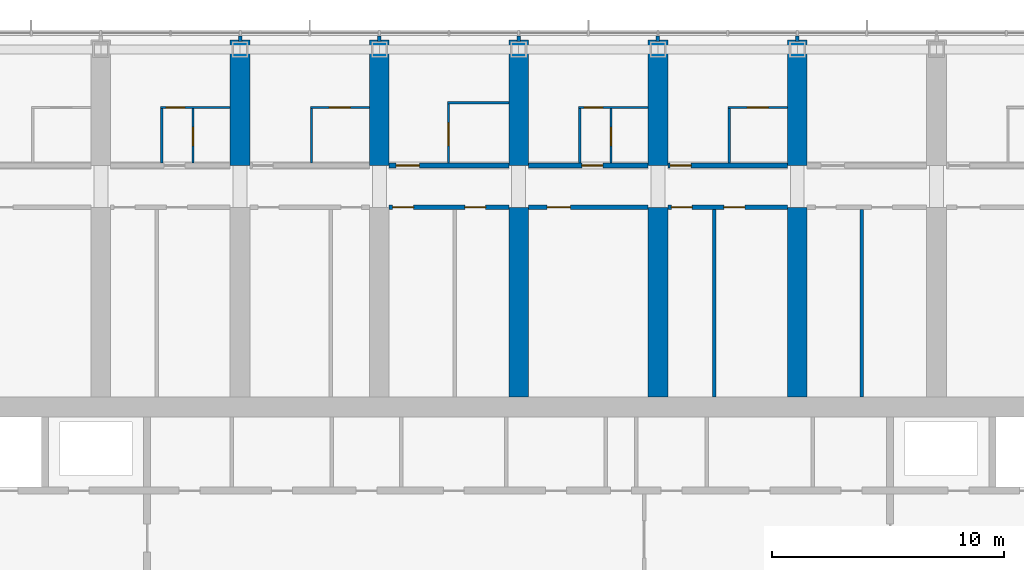
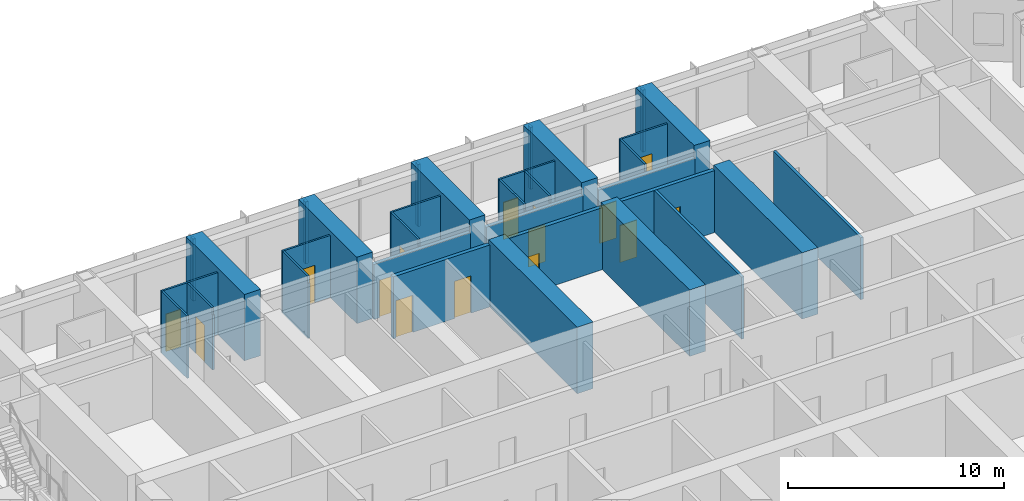
# One storey, part 20 of 29: 33 walls, 15 doors, 15 openings.
"""IFC4 building model written with IfcOpenShell, lengths in metres."""

from ifc_helpers import new_model, si_unit, direction, frame, frame_2d, origin, place, context, subcontext, project, spatial, polyline, rectangle, outline, extrude, material, layer, layer_set, type_object, element, fill, save


model = new_model("IFC4")

# Units and contexts
model_context = context("Model", 3, precision=1e-05, world=origin(), true_north=direction((0.0, 1.0)))
body_context = subcontext(model_context, "Body", "Model", "MODEL_VIEW")
ifc_project = project(units=[si_unit("LENGTHUNIT", "METRE"), si_unit("AREAUNIT", "SQUARE_METRE"), si_unit("VOLUMEUNIT", "CUBIC_METRE"), si_unit("PLANEANGLEUNIT", "RADIAN"), si_unit("MASSUNIT", "GRAM", prefix="KILO")], contexts=[model_context])

# Site, building, storey
site_placement = place(None, origin())
site = spatial("IfcSite", under=ifc_project, at=site_placement, CompositionType="ELEMENT")
building_placement = place(site_placement, origin())
building = spatial("IfcBuilding", under=site, at=building_placement, Name="Orbita Commons", CompositionType="ELEMENT")
storey_placement = place(building_placement, frame((0.0, 0.0, 148.60009765625)))
storey = spatial("IfcBuildingStorey", under=building, at=storey_placement, Name="L36", CompositionType="ELEMENT", Elevation=148.60009765625)

# Wall, opening, door
ifc_material_1 = material(Name="Concrete blockwork", Category="masonry")
ifc_layer_1 = layer(ifc_material_1, 0.199951171875)
ifc_layer_set_1 = layer_set([ifc_layer_1], Name="Concrete blockwork")
wall_type_1 = type_object("IfcWallType", Name="Corridor wall 200 blockwork", PredefinedType="SOLIDWALL", material=ifc_layer_set_1)
wall_1_placement = place(storey_placement, frame((36.425048828125, 48.60009765625, 0.0), z_axis=(0.0, 0.0, 1.0), x_axis=(1.0, 0.0, 0.0)))
wall_1 = element("IfcWall", 1, at=wall_1_placement, inside=storey, type_object=wall_type_1, Name="Corridor wall 200 blockwork L36", PredefinedType="SOLIDWALL", context=body_context, shape_type="SweptSolid", body=[
    extrude(outline(polyline([(0.0, 0.0), (5.14990234375, 0.0), (5.14990234375, 3.099853515625), (0.0, 3.099853515625), (0.0, 0.0)])), frame((0.0, 0.10009765625, 0.0), z_axis=(0.0, -1.0, 0.0), x_axis=(1.0, 0.0, 0.0)), (0.0, 0.0, 1.0), 0.199951171875),
])
opening_1_placement = place(wall_1_placement, frame((0.300048828125, 0.0, 0.0)))
opening_1 = element("IfcOpeningElement", 2, at=opening_1_placement, cuts=wall_1, Name="Opening D06", PredefinedType="OPENING", context=body_context, shape_type="SweptSolid", body=[
    extrude(rectangle(XDim=1.0, YDim=2.10009765625, at=frame_2d((0.5, 1.050048828125))), frame((0.0, 0.10986328125, 0.0), z_axis=(0.0, -1.0, 0.0), x_axis=(1.0, 0.0, 0.0)), (0.0, 0.0, 1.0), 0.219970703125),
])
ifc_material_2 = material(Name="Steel-faced fire door leaf", Category="steel")
door_type_1 = type_object("IfcDoorType", Name="Corridor door 20 min 1000x2100", OperationType="SINGLE_SWING_LEFT", PredefinedType="DOOR", material=ifc_material_2)
door_1_placement = place(opening_1_placement, origin())
door_1 = element("IfcDoor", 3, at=door_1_placement, inside=storey, type_object=door_type_1, Name="Accessible bedroom L36-N06 door", OperationType="SINGLE_SWING_LEFT", OverallHeight=2.10009765625, OverallWidth=1.0, PredefinedType="DOOR", context=body_context, shape_type="SweptSolid", body=[
    extrude(rectangle(XDim=1.0, YDim=2.10009765625, at=frame_2d((0.5, 1.050048828125))), frame((0.0, 0.02490234375, 0.0), z_axis=(0.0, -1.0, 0.0), x_axis=(1.0, 0.0, 0.0)), (0.0, 0.0, 1.0), 0.050048828125),
])
fill(opening_1, door_1)

wall_2_placement = place(storey_placement, frame((42.425048828125, 48.60009765625, 0.0), z_axis=(0.0, 0.0, 1.0), x_axis=(1.0, 0.0, 0.0)))
wall_2 = element("IfcWall", 4, at=wall_2_placement, inside=storey, type_object=wall_type_1, Name="Corridor wall 200 blockwork L36", PredefinedType="SOLIDWALL", context=body_context, shape_type="SweptSolid", body=[
    extrude(outline(polyline([(0.0, 0.0), (5.14990234375, 0.0), (5.14990234375, 3.099853515625), (0.0, 3.099853515625), (0.0, 0.0)])), frame((0.0, 0.10009765625, 0.0), z_axis=(0.0, -1.0, 0.0), x_axis=(1.0, 0.0, 0.0)), (0.0, 0.0, 1.0), 0.199951171875),
])
opening_2_placement = place(wall_2_placement, frame((2.300048828125, 0.0, 0.0)))
opening_2 = element("IfcOpeningElement", 5, at=opening_2_placement, cuts=wall_2, Name="Opening D11", PredefinedType="OPENING", context=body_context, shape_type="SweptSolid", body=[
    extrude(rectangle(XDim=0.89990234375, YDim=2.10009765625, at=frame_2d((0.449951171875, 1.050048828125))), frame((0.0, 0.10986328125, 0.0), z_axis=(0.0, -1.0, 0.0), x_axis=(1.0, 0.0, 0.0)), (0.0, 0.0, 1.0), 0.219970703125),
])
ifc_material_3 = material(Name="Steel-faced fire door leaf", Category="steel")
door_type_2 = type_object("IfcDoorType", Name="Corridor door 20 min 900x2100", OperationType="SINGLE_SWING_LEFT", PredefinedType="DOOR", material=ifc_material_3)
door_2_placement = place(opening_2_placement, origin())
door_2 = element("IfcDoor", 6, at=door_2_placement, inside=storey, type_object=door_type_2, Name="Studio flat L36-N08 entrance door", OperationType="SINGLE_SWING_LEFT", OverallHeight=2.10009765625, OverallWidth=0.89990234375, PredefinedType="DOOR", context=body_context, shape_type="SweptSolid", body=[
    extrude(rectangle(XDim=0.89990234375, YDim=2.10009765625, at=frame_2d((0.449951171875, 1.050048828125))), frame((0.0, 0.02490234375, 0.0), z_axis=(0.0, -1.0, 0.0), x_axis=(1.0, 0.0, 0.0)), (0.0, 0.0, 1.0), 0.050048828125),
])
fill(opening_2, door_2)

wall_3_placement = place(storey_placement, frame((48.425048828125, 48.60009765625, 0.0), z_axis=(0.0, 0.0, 1.0), x_axis=(1.0, 0.0, 0.0)))
wall_3 = element("IfcWall", 7, at=wall_3_placement, inside=storey, type_object=wall_type_1, Name="Corridor wall 200 blockwork L36", PredefinedType="SOLIDWALL", context=body_context, shape_type="SweptSolid", body=[
    extrude(outline(polyline([(0.0, 0.0), (5.14990234375, 0.0), (5.14990234375, 3.099853515625), (0.0, 3.099853515625), (0.0, 0.0)])), frame((0.0, 0.10009765625, 0.0), z_axis=(0.0, -1.0, 0.0), x_axis=(1.0, 0.0, 0.0)), (0.0, 0.0, 1.0), 0.199951171875),
])
opening_3_placement = place(wall_3_placement, frame((0.10009765625, 0.0, 0.0)))
opening_3 = element("IfcOpeningElement", 8, at=opening_3_placement, cuts=wall_3, Name="Opening D11", PredefinedType="OPENING", context=body_context, shape_type="SweptSolid", body=[
    extrude(rectangle(XDim=0.89990234375, YDim=2.10009765625, at=frame_2d((0.449951171875, 1.050048828125))), frame((0.0, 0.10986328125, 0.0), z_axis=(0.0, -1.0, 0.0), x_axis=(1.0, 0.0, 0.0)), (0.0, 0.0, 1.0), 0.219970703125),
])
door_3_placement = place(opening_3_placement, origin())
door_3 = element("IfcDoor", 9, at=door_3_placement, inside=storey, type_object=door_type_2, Name="Twin room L36-N10 door", OperationType="SINGLE_SWING_LEFT", OverallHeight=2.10009765625, OverallWidth=0.89990234375, PredefinedType="DOOR", context=body_context, shape_type="SweptSolid", body=[
    extrude(rectangle(XDim=0.89990234375, YDim=2.10009765625, at=frame_2d((0.449951171875, 1.050048828125))), frame((0.0, 0.02490234375, 0.0), z_axis=(0.0, -1.0, 0.0), x_axis=(1.0, 0.0, 0.0)), (0.0, 0.0, 1.0), 0.050048828125),
])
fill(opening_3, door_3)

# Wall, openings, doors
ifc_material_4 = material(Name="Hollow concrete block 200", Category="concrete")
ifc_layer_2 = layer(ifc_material_4, 0.199951171875)
ifc_layer_set_2 = layer_set([ifc_layer_2], Name="Hollow concrete block 200")
wall_type_2 = type_object("IfcWallType", Name="Corridor wall 200 hollow concrete block", PredefinedType="SOLIDWALL", material=ifc_layer_set_2)
wall_4_placement = place(storey_placement, frame((36.425048828125, 46.800048828125, 0.0), z_axis=(0.0, 0.0, 1.0), x_axis=(1.0, 0.0, 0.0)))
wall_4 = element("IfcWall", 10, at=wall_4_placement, inside=storey, type_object=wall_type_2, Name="Corridor wall 200 hollow concrete block L36", PredefinedType="SOLIDWALL", context=body_context, shape_type="SweptSolid", body=[
    extrude(rectangle(XDim=5.14990234375, YDim=0.199951171875, at=frame_2d((2.574951171875, 0.0))), origin(), (0.0, 0.0, 1.0), 3.5),
])
opening_4_placement = place(wall_4_placement, frame((0.14990234375, 0.0, 0.0)))
opening_4 = element("IfcOpeningElement", 11, at=opening_4_placement, cuts=wall_4, Name="Opening D11", PredefinedType="OPENING", context=body_context, shape_type="SweptSolid", body=[
    extrude(rectangle(XDim=0.89990234375, YDim=2.10009765625, at=frame_2d((0.449951171875, 1.050048828125))), frame((0.0, 0.10986328125, 0.0), z_axis=(0.0, -1.0, 0.0), x_axis=(1.0, 0.0, 0.0)), (0.0, 0.0, 1.0), 0.219970703125),
])
opening_5_placement = place(wall_4_placement, frame((3.2548828125, 0.0, 0.0)))
opening_5 = element("IfcOpeningElement", 12, at=opening_5_placement, cuts=wall_4, Name="Opening D11", PredefinedType="OPENING", context=body_context, shape_type="SweptSolid", body=[
    extrude(rectangle(XDim=0.89990234375, YDim=2.10009765625, at=frame_2d((0.449951171875, 1.050048828125))), frame((0.0, 0.10986328125, 0.0), z_axis=(0.0, -1.0, 0.0), x_axis=(1.0, 0.0, 0.0)), (0.0, 0.0, 1.0), 0.219970703125),
])
door_4_placement = place(opening_4_placement, origin())
door_4 = element("IfcDoor", 13, at=door_4_placement, inside=storey, type_object=door_type_2, Name="Furniture store L36-BDN36 door", OperationType="SINGLE_SWING_LEFT", OverallHeight=2.10009765625, OverallWidth=0.89990234375, PredefinedType="DOOR", context=body_context, shape_type="SweptSolid", body=[
    extrude(rectangle(XDim=0.89990234375, YDim=2.10009765625, at=frame_2d((0.449951171875, 1.050048828125))), frame((0.0, 0.02490234375, 0.0), z_axis=(0.0, -1.0, 0.0), x_axis=(1.0, 0.0, 0.0)), (0.0, 0.0, 1.0), 0.050048828125),
])
fill(opening_4, door_4)
door_5_placement = place(opening_5_placement, origin())
door_5 = element("IfcDoor", 14, at=door_5_placement, inside=storey, type_object=door_type_2, Name="Battery and UPS room L36-BDN36n door", OperationType="SINGLE_SWING_LEFT", OverallHeight=2.10009765625, OverallWidth=0.89990234375, PredefinedType="DOOR", context=body_context, shape_type="SweptSolid", body=[
    extrude(rectangle(XDim=0.89990234375, YDim=2.10009765625, at=frame_2d((0.449951171875, 1.050048828125))), frame((0.0, 0.02490234375, 0.0), z_axis=(0.0, -1.0, 0.0), x_axis=(1.0, 0.0, 0.0)), (0.0, 0.0, 1.0), 0.050048828125),
])
fill(opening_5, door_5)

# Wall, opening, door
wall_5_placement = place(storey_placement, frame((42.425048828125, 46.800048828125, 0.0), z_axis=(0.0, 0.0, 1.0), x_axis=(1.0, 0.0, 0.0)))
wall_5 = element("IfcWall", 15, at=wall_5_placement, inside=storey, type_object=wall_type_2, Name="Corridor wall 200 hollow concrete block L36", PredefinedType="SOLIDWALL", context=body_context, shape_type="SweptSolid", body=[
    extrude(rectangle(XDim=5.14990234375, YDim=0.199951171875, at=frame_2d((2.574951171875, 0.0))), origin(), (0.0, 0.0, 1.0), 3.5),
])
opening_6_placement = place(wall_5_placement, frame((0.800048828125, 0.0, 0.0)))
opening_6 = element("IfcOpeningElement", 16, at=opening_6_placement, cuts=wall_5, Name="Opening D06", PredefinedType="OPENING", context=body_context, shape_type="SweptSolid", body=[
    extrude(rectangle(XDim=1.0, YDim=2.10009765625, at=frame_2d((0.5, 1.050048828125))), frame((0.0, 0.10986328125, 0.0), z_axis=(0.0, -1.0, 0.0), x_axis=(1.0, 0.0, 0.0)), (0.0, 0.0, 1.0), 0.219970703125),
])
door_6_placement = place(opening_6_placement, origin())
door_6 = element("IfcDoor", 17, at=door_6_placement, inside=storey, type_object=door_type_1, Name="Ventilation plant room south L36-BDN42 door", OperationType="SINGLE_SWING_LEFT", OverallHeight=2.10009765625, OverallWidth=1.0, PredefinedType="DOOR", context=body_context, shape_type="SweptSolid", body=[
    extrude(rectangle(XDim=1.0, YDim=2.10009765625, at=frame_2d((0.5, 1.050048828125))), frame((0.0, 0.02490234375, 0.0), z_axis=(0.0, -1.0, 0.0), x_axis=(1.0, 0.0, 0.0)), (0.0, 0.0, 1.0), 0.050048828125),
])
fill(opening_6, door_6)

# Wall, openings, doors
wall_6_placement = place(storey_placement, frame((48.425048828125, 46.800048828125, 0.0), z_axis=(0.0, 0.0, 1.0), x_axis=(1.0, 0.0, 0.0)))
wall_6 = element("IfcWall", 18, at=wall_6_placement, inside=storey, type_object=wall_type_2, Name="Corridor wall 200 hollow concrete block L36", PredefinedType="SOLIDWALL", context=body_context, shape_type="SweptSolid", body=[
    extrude(rectangle(XDim=5.14990234375, YDim=0.199951171875, at=frame_2d((2.574951171875, 0.0))), origin(), (0.0, 0.0, 1.0), 3.5),
])
opening_7_placement = place(wall_6_placement, frame((0.14990234375, 0.0, 0.0)))
opening_7 = element("IfcOpeningElement", 19, at=opening_7_placement, cuts=wall_6, Name="Opening D11", PredefinedType="OPENING", context=body_context, shape_type="SweptSolid", body=[
    extrude(rectangle(XDim=0.89990234375, YDim=2.10009765625, at=frame_2d((0.449951171875, 1.050048828125))), frame((0.0, 0.10986328125, 0.0), z_axis=(0.0, -1.0, 0.0), x_axis=(1.0, 0.0, 0.0)), (0.0, 0.0, 1.0), 0.219970703125),
])
opening_8_placement = place(wall_6_placement, frame((2.4150390625, 0.0, 0.0)))
opening_8 = element("IfcOpeningElement", 20, at=opening_8_placement, cuts=wall_6, Name="Opening D11", PredefinedType="OPENING", context=body_context, shape_type="SweptSolid", body=[
    extrude(rectangle(XDim=0.89990234375, YDim=2.10009765625, at=frame_2d((0.449951171875, 1.050048828125))), frame((0.0, 0.10986328125, 0.0), z_axis=(0.0, -1.0, 0.0), x_axis=(1.0, 0.0, 0.0)), (0.0, 0.0, 1.0), 0.219970703125),
])
door_7_placement = place(opening_7_placement, origin())
door_7 = element("IfcDoor", 21, at=door_7_placement, inside=storey, type_object=door_type_2, Name="Sprinkler valve room L36-BDN48n door", OperationType="SINGLE_SWING_LEFT", OverallHeight=2.10009765625, OverallWidth=0.89990234375, PredefinedType="DOOR", context=body_context, shape_type="SweptSolid", body=[
    extrude(rectangle(XDim=0.89990234375, YDim=2.10009765625, at=frame_2d((0.449951171875, 1.050048828125))), frame((0.0, 0.02490234375, 0.0), z_axis=(0.0, -1.0, 0.0), x_axis=(1.0, 0.0, 0.0)), (0.0, 0.0, 1.0), 0.050048828125),
])
fill(opening_7, door_7)
door_8_placement = place(opening_8_placement, origin())
door_8 = element("IfcDoor", 22, at=door_8_placement, inside=storey, type_object=door_type_2, Name="Bulk and luggage store L36-BDN48 door", OperationType="SINGLE_SWING_LEFT", OverallHeight=2.10009765625, OverallWidth=0.89990234375, PredefinedType="DOOR", context=body_context, shape_type="SweptSolid", body=[
    extrude(rectangle(XDim=0.89990234375, YDim=2.10009765625, at=frame_2d((0.449951171875, 1.050048828125))), frame((0.0, 0.02490234375, 0.0), z_axis=(0.0, -1.0, 0.0), x_axis=(1.0, 0.0, 0.0)), (0.0, 0.0, 1.0), 0.050048828125),
])
fill(opening_8, door_8)

# Walls
ifc_material_5 = material(Name="Concrete C50/60", Category="concrete")
ifc_layer_3 = layer(ifc_material_5, 0.85009765625)
ifc_layer_set_3 = layer_set([ifc_layer_3], Name="Concrete C50/60")
wall_type_3 = type_object("IfcWallType", Name="Cross wall 850 C50/60", PredefinedType="SHEAR", material=ifc_layer_set_3)
for number, where, z_axis, x_axis, name in (
    (23, (30.0, 48.60009765625, 0.0), (0.0, 0.0, 1.0), (0.0, 1.0, 0.0), "Cross wall 6 north outer L36"),
    (24, (36.0, 48.60009765625, 0.0), (0.0, 0.0, 1.0), (0.0, 1.0, 0.0), "Cross wall 7 north outer L36"),
    (25, (42.0, 48.60009765625, 0.0), (0.0, 0.0, 1.0), (0.0, 1.0, 0.0), "Cross wall 8 north outer L36"),
):
    element("IfcWall", number, at=place(storey_placement, frame(where, z_axis=z_axis, x_axis=x_axis)), inside=storey, type_object=wall_type_3, Name=name, PredefinedType="SHEAR", context=body_context, shape_type="SweptSolid", body=[
        extrude(rectangle(XDim=5.39990234375, YDim=0.85009765625, at=frame_2d((2.699951171875, 0.0))), origin(), (0.0, 0.0, 1.0), 3.75),
    ])
wall_7_placement = place(storey_placement, frame((42.0, 38.625, 0.0), z_axis=(0.0, 0.0, 1.0), x_axis=(0.0, 1.0, 0.0)))
element("IfcWall", 26, at=wall_7_placement, inside=storey, type_object=wall_type_3, Name="Cross wall 8 north inner L36", PredefinedType="SHEAR", context=body_context, shape_type="SweptSolid", body=[
    extrude(rectangle(XDim=8.175048828125, YDim=0.85009765625, at=frame_2d((4.08740234375, 0.0))), origin(), (0.0, 0.0, 1.0), 3.75),
])
wall_8_placement = place(storey_placement, frame((48.0, 48.60009765625, 0.0), z_axis=(0.0, 0.0, 1.0), x_axis=(0.0, 1.0, 0.0)))
element("IfcWall", 27, at=wall_8_placement, inside=storey, type_object=wall_type_3, Name="Cross wall 9 north outer L36", PredefinedType="SHEAR", context=body_context, shape_type="SweptSolid", body=[
    extrude(rectangle(XDim=5.39990234375, YDim=0.85009765625, at=frame_2d((2.699951171875, 0.0))), origin(), (0.0, 0.0, 1.0), 3.75),
])
wall_9_placement = place(storey_placement, frame((48.0, 38.625, 0.0), z_axis=(0.0, 0.0, 1.0), x_axis=(0.0, 1.0, 0.0)))
element("IfcWall", 28, at=wall_9_placement, inside=storey, type_object=wall_type_3, Name="Cross wall 9 north inner L36", PredefinedType="SHEAR", context=body_context, shape_type="SweptSolid", body=[
    extrude(rectangle(XDim=8.175048828125, YDim=0.85009765625, at=frame_2d((4.08740234375, 0.0))), origin(), (0.0, 0.0, 1.0), 3.75),
])
wall_10_placement = place(storey_placement, frame((54.0, 48.60009765625, 0.0), z_axis=(0.0, 0.0, 1.0), x_axis=(0.0, 1.0, 0.0)))
element("IfcWall", 29, at=wall_10_placement, inside=storey, type_object=wall_type_3, Name="Cross wall 10 north outer L36", PredefinedType="SHEAR", context=body_context, shape_type="SweptSolid", body=[
    extrude(rectangle(XDim=5.39990234375, YDim=0.85009765625, at=frame_2d((2.699951171875, 0.0))), origin(), (0.0, 0.0, 1.0), 3.75),
])
wall_11_placement = place(storey_placement, frame((54.0, 38.625, 0.0), z_axis=(0.0, 0.0, 1.0), x_axis=(0.0, 1.0, 0.0)))
element("IfcWall", 30, at=wall_11_placement, inside=storey, type_object=wall_type_3, Name="Cross wall 10 north inner L36", PredefinedType="SHEAR", context=body_context, shape_type="SweptSolid", body=[
    extrude(rectangle(XDim=8.175048828125, YDim=0.85009765625, at=frame_2d((4.08740234375, 0.0))), origin(), (0.0, 0.0, 1.0), 3.75),
])

# Wall, opening, door
ifc_material_6 = material(Name="Moisture-resistant plasterboard on steel studs", Category="steel")
ifc_layer_4 = layer(ifc_material_6, 0.10009765625)
ifc_layer_set_4 = layer_set([ifc_layer_4], Name="Moisture-resistant plasterboard on steel studs")
wall_type_4 = type_object("IfcWallType", Name="En-suite partition 100", PredefinedType="PARTITIONING", material=ifc_layer_set_4)
wall_12_placement = place(storey_placement, frame((26.574951171875, 51.10009765625, 0.0), z_axis=(0.0, 0.0, 1.0), x_axis=(1.0, 0.0, 0.0)))
wall_12 = element("IfcWall", 31, at=wall_12_placement, inside=storey, type_object=wall_type_4, Name="En-suite partition 100 L36", PredefinedType="PARTITIONING", context=body_context, shape_type="SweptSolid", body=[
    extrude(rectangle(XDim=3.0, YDim=0.10009765625, at=frame_2d((1.5, 0.0))), origin(), (0.0, 0.0, 1.0), 3.5),
])
opening_9_placement = place(wall_12_placement, frame((0.25, 0.0, 0.0)))
opening_9 = element("IfcOpeningElement", 32, at=opening_9_placement, cuts=wall_12, Name="Opening D16", PredefinedType="OPENING", context=body_context, shape_type="SweptSolid", body=[
    extrude(rectangle(XDim=0.800048828125, YDim=2.10009765625, at=frame_2d((0.39990234375, 1.050048828125))), frame((0.0, 0.06005859375, 0.0), z_axis=(0.0, -1.0, 0.0), x_axis=(1.0, 0.0, 0.0)), (0.0, 0.0, 1.0), 0.1201171875),
])
ifc_material_7 = material(Name="Laminated timber door leaf", Category="wood")
door_type_3 = type_object("IfcDoorType", Name="En-suite door 800x2100", OperationType="SINGLE_SWING_RIGHT", PredefinedType="DOOR", material=ifc_material_7)
door_9_placement = place(opening_9_placement, origin())
door_9 = element("IfcDoor", 33, at=door_9_placement, inside=storey, type_object=door_type_3, Name="Studio flat L36-N02 door", OperationType="SINGLE_SWING_RIGHT", OverallHeight=2.10009765625, OverallWidth=0.800048828125, PredefinedType="DOOR", context=body_context, shape_type="SweptSolid", body=[
    extrude(rectangle(XDim=0.800048828125, YDim=2.10009765625, at=frame_2d((0.39990234375, 1.050048828125))), frame((0.0, 0.02490234375, 0.0), z_axis=(0.0, -1.0, 0.0), x_axis=(1.0, 0.0, 0.0)), (0.0, 0.0, 1.0), 0.050048828125),
])
fill(opening_9, door_9)

# Wall
wall_13_placement = place(storey_placement, frame((26.625, 51.050048828125, 0.0), z_axis=(0.0, 0.0, 1.0), x_axis=(0.0, -1.0, 0.0)))
element("IfcWall", 34, at=wall_13_placement, inside=storey, type_object=wall_type_4, Name="En-suite partition 100 L36", PredefinedType="PARTITIONING", context=body_context, shape_type="SweptSolid", body=[
    extrude(outline(polyline([(0.0, 0.0), (2.35009765625, 0.0), (2.35009765625, 3.099853515625), (2.302001953125, 3.099853515625), (2.300048828125, 3.5), (0.0, 3.5), (0.0, 0.0)])), frame((0.0, 0.050048828125, 0.0), z_axis=(0.0, -1.0, 0.0), x_axis=(1.0, 0.0, 0.0)), (0.0, 0.0, 1.0), 0.10009765625),
])

# Wall, opening, door
wall_14_placement = place(storey_placement, frame((27.97509765625, 51.050048828125, 0.0), z_axis=(0.0, 0.0, 1.0), x_axis=(0.0, -1.0, 0.0)))
wall_14 = element("IfcWall", 35, at=wall_14_placement, inside=storey, type_object=wall_type_4, Name="En-suite partition 100 L36", PredefinedType="PARTITIONING", context=body_context, shape_type="SweptSolid", body=[
    extrude(outline(polyline([(0.0, 0.0), (2.35009765625, 0.0), (2.35009765625, 3.099853515625), (2.302001953125, 3.099853515625), (2.300048828125, 3.5), (0.0, 3.5), (0.0, 0.0)])), frame((0.0, 0.050048828125, 0.0), z_axis=(0.0, -1.0, 0.0), x_axis=(1.0, 0.0, 0.0)), (0.0, 0.0, 1.0), 0.10009765625),
])
opening_10_placement = place(wall_14_placement, frame((0.800048828125, 0.0, 0.0)))
opening_10 = element("IfcOpeningElement", 36, at=opening_10_placement, cuts=wall_14, Name="Opening D16", PredefinedType="OPENING", context=body_context, shape_type="SweptSolid", body=[
    extrude(rectangle(XDim=0.800048828125, YDim=2.10009765625, at=frame_2d((0.39990234375, 1.050048828125))), frame((0.0, 0.06005859375, 0.0), z_axis=(0.0, -1.0, 0.0), x_axis=(1.0, 0.0, 0.0)), (0.0, 0.0, 1.0), 0.1201171875),
])
door_10_placement = place(opening_10_placement, origin())
door_10 = element("IfcDoor", 37, at=door_10_placement, inside=storey, type_object=door_type_3, Name="Studio flat shower room L36-N02 door", OperationType="SINGLE_SWING_RIGHT", OverallHeight=2.10009765625, OverallWidth=0.800048828125, PredefinedType="DOOR", context=body_context, shape_type="SweptSolid", body=[
    extrude(rectangle(XDim=0.800048828125, YDim=2.10009765625, at=frame_2d((0.39990234375, 1.050048828125))), frame((0.0, 0.02490234375, 0.0), z_axis=(0.0, -1.0, 0.0), x_axis=(1.0, 0.0, 0.0)), (0.0, 0.0, 1.0), 0.050048828125),
])
fill(opening_10, door_10)

wall_15_placement = place(storey_placement, frame((33.02490234375, 51.10009765625, 0.0), z_axis=(0.0, 0.0, 1.0), x_axis=(1.0, 0.0, 0.0)))
wall_15 = element("IfcWall", 38, at=wall_15_placement, inside=storey, type_object=wall_type_4, Name="En-suite partition 100 L36", PredefinedType="PARTITIONING", context=body_context, shape_type="SweptSolid", body=[
    extrude(rectangle(XDim=2.550048828125, YDim=0.10009765625, at=frame_2d((1.27490234375, 0.0))), origin(), (0.0, 0.0, 1.0), 3.5),
])
opening_11_placement = place(wall_15_placement, frame((0.824951171875, 0.0, 0.0)))
opening_11 = element("IfcOpeningElement", 39, at=opening_11_placement, cuts=wall_15, Name="Opening D09", PredefinedType="OPENING", context=body_context, shape_type="SweptSolid", body=[
    extrude(rectangle(XDim=0.89990234375, YDim=2.10009765625, at=frame_2d((0.449951171875, 1.050048828125))), frame((0.0, 0.06005859375, 0.0), z_axis=(0.0, -1.0, 0.0), x_axis=(1.0, 0.0, 0.0)), (0.0, 0.0, 1.0), 0.1201171875),
])
ifc_material_8 = material(Name="Laminated timber door leaf", Category="wood")
door_type_4 = type_object("IfcDoorType", Name="En-suite door 900x2100", OperationType="SINGLE_SWING_RIGHT", PredefinedType="DOOR", material=ifc_material_8)
door_11_placement = place(opening_11_placement, origin())
door_11 = element("IfcDoor", 40, at=door_11_placement, inside=storey, type_object=door_type_4, Name="En-suite L36-N04 door", OperationType="SINGLE_SWING_RIGHT", OverallHeight=2.10009765625, OverallWidth=0.89990234375, PredefinedType="DOOR", context=body_context, shape_type="SweptSolid", body=[
    extrude(rectangle(XDim=0.89990234375, YDim=2.10009765625, at=frame_2d((0.449951171875, 1.050048828125))), frame((0.0, 0.02490234375, 0.0), z_axis=(0.0, -1.0, 0.0), x_axis=(1.0, 0.0, 0.0)), (0.0, 0.0, 1.0), 0.050048828125),
])
fill(opening_11, door_11)

# Walls
wall_16_placement = place(storey_placement, frame((33.074951171875, 51.050048828125, 0.0), z_axis=(0.0, 0.0, 1.0), x_axis=(0.0, -1.0, 0.0)))
element("IfcWall", 41, at=wall_16_placement, inside=storey, type_object=wall_type_4, Name="En-suite partition 100 L36", PredefinedType="PARTITIONING", context=body_context, shape_type="SweptSolid", body=[
    extrude(outline(polyline([(0.0, 0.0), (2.35009765625, 0.0), (2.35009765625, 3.099853515625), (2.302001953125, 3.099853515625), (2.300048828125, 3.5), (0.0, 3.5), (0.0, 0.0)])), frame((0.0, 0.050048828125, 0.0), z_axis=(0.0, -1.0, 0.0), x_axis=(1.0, 0.0, 0.0)), (0.0, 0.0, 1.0), 0.10009765625),
])
wall_17_placement = place(storey_placement, frame((38.925048828125, 51.300048828125, 0.0), z_axis=(0.0, 0.0, 1.0), x_axis=(1.0, 0.0, 0.0)))
element("IfcWall", 42, at=wall_17_placement, inside=storey, type_object=wall_type_4, Name="En-suite partition 100 L36", PredefinedType="PARTITIONING", context=body_context, shape_type="SweptSolid", body=[
    extrude(rectangle(XDim=2.64990234375, YDim=0.10009765625, at=frame_2d((1.324951171875, 0.0))), origin(), (0.0, 0.0, 1.0), 3.5),
])

# Wall, opening, door
wall_18_placement = place(storey_placement, frame((38.97509765625, 51.25, 0.0), z_axis=(0.0, 0.0, 1.0), x_axis=(0.0, -1.0, 0.0)))
wall_18 = element("IfcWall", 43, at=wall_18_placement, inside=storey, type_object=wall_type_4, Name="En-suite partition 100 L36", PredefinedType="PARTITIONING", context=body_context, shape_type="SweptSolid", body=[
    extrude(outline(polyline([(0.0, 0.0), (2.550048828125, 0.0), (2.550048828125, 3.099853515625), (2.501953125, 3.099853515625), (2.5, 3.5), (0.0, 3.5), (0.0, 0.0)])), frame((0.0, 0.050048828125, 0.0), z_axis=(0.0, -1.0, 0.0), x_axis=(1.0, 0.0, 0.0)), (0.0, 0.0, 1.0), 0.10009765625),
])
opening_12_placement = place(wall_18_placement, frame((0.800048828125, 0.0, 0.0)))
opening_12 = element("IfcOpeningElement", 44, at=opening_12_placement, cuts=wall_18, Name="Opening D13", PredefinedType="OPENING", context=body_context, shape_type="SweptSolid", body=[
    extrude(rectangle(XDim=1.0, YDim=2.10009765625, at=frame_2d((0.5, 1.050048828125))), frame((0.0, 0.06005859375, 0.0), z_axis=(0.0, -1.0, 0.0), x_axis=(1.0, 0.0, 0.0)), (0.0, 0.0, 1.0), 0.1201171875),
])
ifc_material_9 = material(Name="Laminated timber door leaf", Category="wood")
door_type_5 = type_object("IfcDoorType", Name="En-suite door 1000x2100", OperationType="SINGLE_SWING_RIGHT", PredefinedType="DOOR", material=ifc_material_9)
door_12_placement = place(opening_12_placement, origin())
door_12 = element("IfcDoor", 45, at=door_12_placement, inside=storey, type_object=door_type_5, Name="Accessible shower room L36-N06 door", OperationType="SINGLE_SWING_RIGHT", OverallHeight=2.10009765625, OverallWidth=1.0, PredefinedType="DOOR", context=body_context, shape_type="SweptSolid", body=[
    extrude(rectangle(XDim=1.0, YDim=2.10009765625, at=frame_2d((0.5, 1.050048828125))), frame((0.0, 0.02490234375, 0.0), z_axis=(0.0, -1.0, 0.0), x_axis=(1.0, 0.0, 0.0)), (0.0, 0.0, 1.0), 0.050048828125),
])
fill(opening_12, door_12)

wall_19_placement = place(storey_placement, frame((44.574951171875, 51.10009765625, 0.0), z_axis=(0.0, 0.0, 1.0), x_axis=(1.0, 0.0, 0.0)))
wall_19 = element("IfcWall", 46, at=wall_19_placement, inside=storey, type_object=wall_type_4, Name="En-suite partition 100 L36", PredefinedType="PARTITIONING", context=body_context, shape_type="SweptSolid", body=[
    extrude(rectangle(XDim=3.0, YDim=0.10009765625, at=frame_2d((1.5, 0.0))), origin(), (0.0, 0.0, 1.0), 3.5),
])
opening_13_placement = place(wall_19_placement, frame((0.25, 0.0, 0.0)))
opening_13 = element("IfcOpeningElement", 47, at=opening_13_placement, cuts=wall_19, Name="Opening D16", PredefinedType="OPENING", context=body_context, shape_type="SweptSolid", body=[
    extrude(rectangle(XDim=0.800048828125, YDim=2.10009765625, at=frame_2d((0.39990234375, 1.050048828125))), frame((0.0, 0.06005859375, 0.0), z_axis=(0.0, -1.0, 0.0), x_axis=(1.0, 0.0, 0.0)), (0.0, 0.0, 1.0), 0.1201171875),
])
door_13_placement = place(opening_13_placement, origin())
door_13 = element("IfcDoor", 48, at=door_13_placement, inside=storey, type_object=door_type_3, Name="Studio flat L36-N08 door", OperationType="SINGLE_SWING_RIGHT", OverallHeight=2.10009765625, OverallWidth=0.800048828125, PredefinedType="DOOR", context=body_context, shape_type="SweptSolid", body=[
    extrude(rectangle(XDim=0.800048828125, YDim=2.10009765625, at=frame_2d((0.39990234375, 1.050048828125))), frame((0.0, 0.02490234375, 0.0), z_axis=(0.0, -1.0, 0.0), x_axis=(1.0, 0.0, 0.0)), (0.0, 0.0, 1.0), 0.050048828125),
])
fill(opening_13, door_13)

# Wall
wall_20_placement = place(storey_placement, frame((44.625, 51.050048828125, 0.0), z_axis=(0.0, 0.0, 1.0), x_axis=(0.0, -1.0, 0.0)))
element("IfcWall", 49, at=wall_20_placement, inside=storey, type_object=wall_type_4, Name="En-suite partition 100 L36", PredefinedType="PARTITIONING", context=body_context, shape_type="SweptSolid", body=[
    extrude(outline(polyline([(0.0, 0.0), (2.35009765625, 0.0), (2.35009765625, 3.099853515625), (2.302001953125, 3.099853515625), (2.300048828125, 3.5), (0.0, 3.5), (0.0, 0.0)])), frame((0.0, 0.050048828125, 0.0), z_axis=(0.0, -1.0, 0.0), x_axis=(1.0, 0.0, 0.0)), (0.0, 0.0, 1.0), 0.10009765625),
])

# Wall, opening, door
wall_21_placement = place(storey_placement, frame((45.97509765625, 51.050048828125, 0.0), z_axis=(0.0, 0.0, 1.0), x_axis=(0.0, -1.0, 0.0)))
wall_21 = element("IfcWall", 50, at=wall_21_placement, inside=storey, type_object=wall_type_4, Name="En-suite partition 100 L36", PredefinedType="PARTITIONING", context=body_context, shape_type="SweptSolid", body=[
    extrude(outline(polyline([(0.0, 0.0), (2.35009765625, 0.0), (2.35009765625, 3.099853515625), (2.302001953125, 3.099853515625), (2.300048828125, 3.5), (0.0, 3.5), (0.0, 0.0)])), frame((0.0, 0.050048828125, 0.0), z_axis=(0.0, -1.0, 0.0), x_axis=(1.0, 0.0, 0.0)), (0.0, 0.0, 1.0), 0.10009765625),
])
opening_14_placement = place(wall_21_placement, frame((0.800048828125, 0.0, 0.0)))
opening_14 = element("IfcOpeningElement", 51, at=opening_14_placement, cuts=wall_21, Name="Opening D16", PredefinedType="OPENING", context=body_context, shape_type="SweptSolid", body=[
    extrude(rectangle(XDim=0.800048828125, YDim=2.10009765625, at=frame_2d((0.39990234375, 1.050048828125))), frame((0.0, 0.06005859375, 0.0), z_axis=(0.0, -1.0, 0.0), x_axis=(1.0, 0.0, 0.0)), (0.0, 0.0, 1.0), 0.1201171875),
])
door_14_placement = place(opening_14_placement, origin())
door_14 = element("IfcDoor", 52, at=door_14_placement, inside=storey, type_object=door_type_3, Name="Studio flat shower room L36-N08 door", OperationType="SINGLE_SWING_RIGHT", OverallHeight=2.10009765625, OverallWidth=0.800048828125, PredefinedType="DOOR", context=body_context, shape_type="SweptSolid", body=[
    extrude(rectangle(XDim=0.800048828125, YDim=2.10009765625, at=frame_2d((0.39990234375, 1.050048828125))), frame((0.0, 0.02490234375, 0.0), z_axis=(0.0, -1.0, 0.0), x_axis=(1.0, 0.0, 0.0)), (0.0, 0.0, 1.0), 0.050048828125),
])
fill(opening_14, door_14)

wall_22_placement = place(storey_placement, frame((51.02490234375, 51.10009765625, 0.0), z_axis=(0.0, 0.0, 1.0), x_axis=(1.0, 0.0, 0.0)))
wall_22 = element("IfcWall", 53, at=wall_22_placement, inside=storey, type_object=wall_type_4, Name="En-suite partition 100 L36", PredefinedType="PARTITIONING", context=body_context, shape_type="SweptSolid", body=[
    extrude(rectangle(XDim=2.550048828125, YDim=0.10009765625, at=frame_2d((1.27490234375, 0.0))), origin(), (0.0, 0.0, 1.0), 3.5),
])
opening_15_placement = place(wall_22_placement, frame((0.824951171875, 0.0, 0.0)))
opening_15 = element("IfcOpeningElement", 54, at=opening_15_placement, cuts=wall_22, Name="Opening D09", PredefinedType="OPENING", context=body_context, shape_type="SweptSolid", body=[
    extrude(rectangle(XDim=0.89990234375, YDim=2.10009765625, at=frame_2d((0.449951171875, 1.050048828125))), frame((0.0, 0.06005859375, 0.0), z_axis=(0.0, -1.0, 0.0), x_axis=(1.0, 0.0, 0.0)), (0.0, 0.0, 1.0), 0.1201171875),
])
door_15_placement = place(opening_15_placement, origin())
door_15 = element("IfcDoor", 55, at=door_15_placement, inside=storey, type_object=door_type_4, Name="En-suite L36-N10 door", OperationType="SINGLE_SWING_RIGHT", OverallHeight=2.10009765625, OverallWidth=0.89990234375, PredefinedType="DOOR", context=body_context, shape_type="SweptSolid", body=[
    extrude(rectangle(XDim=0.89990234375, YDim=2.10009765625, at=frame_2d((0.449951171875, 1.050048828125))), frame((0.0, 0.02490234375, 0.0), z_axis=(0.0, -1.0, 0.0), x_axis=(1.0, 0.0, 0.0)), (0.0, 0.0, 1.0), 0.050048828125),
])
fill(opening_15, door_15)

# Walls
wall_23_placement = place(storey_placement, frame((51.074951171875, 51.050048828125, 0.0), z_axis=(0.0, 0.0, 1.0), x_axis=(0.0, -1.0, 0.0)))
element("IfcWall", 56, at=wall_23_placement, inside=storey, type_object=wall_type_4, Name="En-suite partition 100 L36", PredefinedType="PARTITIONING", context=body_context, shape_type="SweptSolid", body=[
    extrude(outline(polyline([(0.0, 0.0), (2.35009765625, 0.0), (2.35009765625, 3.099853515625), (2.302001953125, 3.099853515625), (2.300048828125, 3.5), (0.0, 3.5), (0.0, 0.0)])), frame((0.0, 0.050048828125, 0.0), z_axis=(0.0, -1.0, 0.0), x_axis=(1.0, 0.0, 0.0)), (0.0, 0.0, 1.0), 0.10009765625),
])
ifc_material_10 = material(Name="Gypsum plasterboard on steel studs", Category="steel")
ifc_layer_5 = layer(ifc_material_10, 0.14990234375)
ifc_layer_set_5 = layer_set([ifc_layer_5], Name="Gypsum plasterboard on steel studs")
wall_type_5 = type_object("IfcWallType", Name="Partition 150 plasterboard", PredefinedType="PARTITIONING", material=ifc_layer_set_5)
for number, where, z_axis, x_axis, name in (
    (57, (50.4150390625, 38.625, 0.0), (0.0, 0.0, 1.0), (0.0, 1.0, 0.0), "Partition 150 plasterboard L36"),
    (58, (56.77490234375, 38.625, 0.0), (0.0, 0.0, 1.0), (0.0, 1.0, 0.0), "Partition 150 plasterboard L36"),
):
    element("IfcWall", number, at=place(storey_placement, frame(where, z_axis=z_axis, x_axis=x_axis)), inside=storey, type_object=wall_type_5, Name=name, PredefinedType="PARTITIONING", context=body_context, shape_type="SweptSolid", body=[
        extrude(rectangle(XDim=8.074951171875, YDim=0.14990234375, at=frame_2d((4.03759765625, 0.0))), origin(), (0.0, 0.0, 1.0), 3.5),
    ])
for number, where, z_axis, x_axis, name in (
    (59, (30.0, 53.949951171875, 0.0), (0.0, 0.0, 1.0), (0.0, 1.0, 0.0), "Partition 150 plasterboard L36"),
    (60, (36.0, 53.949951171875, 0.0), (0.0, 0.0, 1.0), (0.0, 1.0, 0.0), "Partition 150 plasterboard L36"),
    (61, (42.0, 53.949951171875, 0.0), (0.0, 0.0, 1.0), (0.0, 1.0, 0.0), "Partition 150 plasterboard L36"),
    (62, (48.0, 53.949951171875, 0.0), (0.0, 0.0, 1.0), (0.0, 1.0, 0.0), "Partition 150 plasterboard L36"),
    (63, (54.0, 53.949951171875, 0.0), (0.0, 0.0, 1.0), (0.0, 1.0, 0.0), "Partition 150 plasterboard L36"),
):
    element("IfcWall", number, at=place(storey_placement, frame(where, z_axis=z_axis, x_axis=x_axis)), inside=storey, type_object=wall_type_5, Name=name, PredefinedType="PARTITIONING", context=body_context, shape_type="SweptSolid", body=[
        extrude(rectangle(XDim=0.239990234375, YDim=0.14990234375, at=frame_2d((0.1201171875, 0.0))), origin(), (0.0, 0.0, 1.0), 3.5),
    ])

save(model, "model.ifc")
